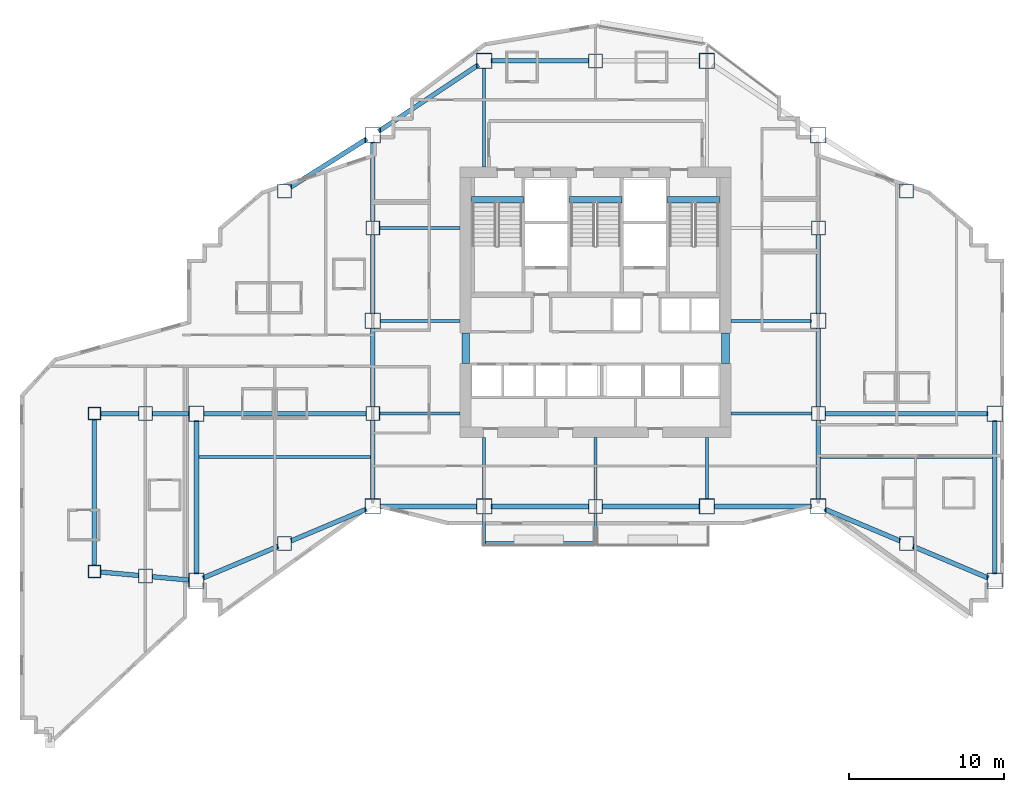
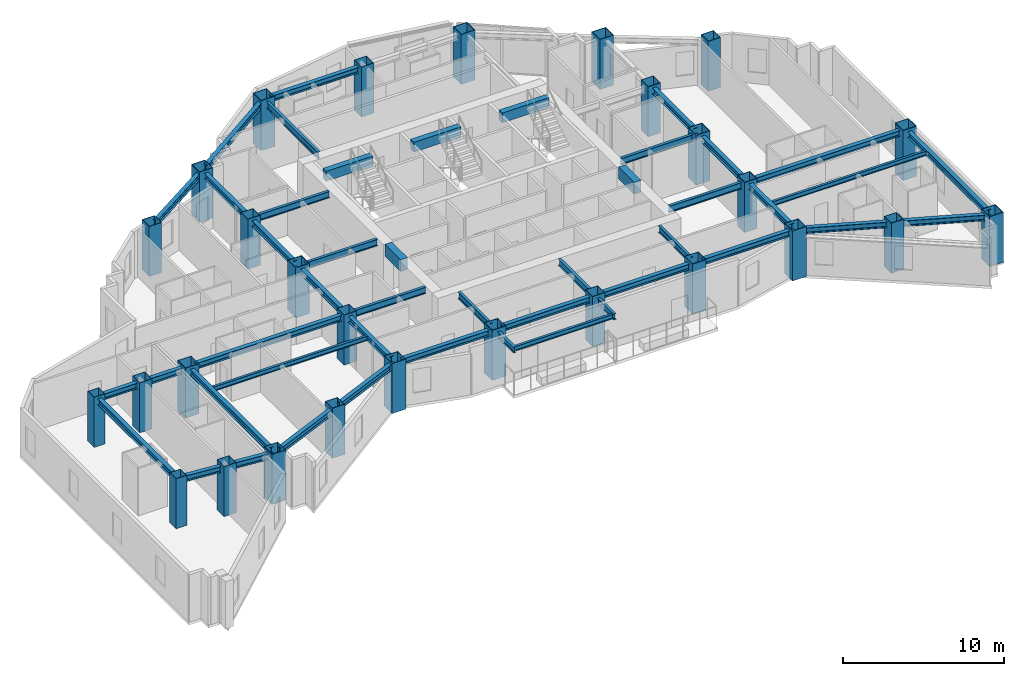
# One storey, part 1 of 14: 46 beams, 28 columns.
"""IFC4 building model written with IfcOpenShell, lengths in metres."""

from ifc_helpers import new_model, si_unit, direction, frame, origin, origin_2d, place, context, subcontext, project, spatial, rectangle, hollow_rectangle, i_section, extrude, material, material_profile, profile_set, type_object, element, save


model = new_model("IFC4")

# Units and contexts
model_context = context("Model", 3, precision=1e-05, world=origin(), true_north=direction((0.0, 1.0)))
body_context = subcontext(model_context, "Body", "Model", "MODEL_VIEW")
ifc_project = project(units=[si_unit("LENGTHUNIT", "METRE"), si_unit("AREAUNIT", "SQUARE_METRE"), si_unit("VOLUMEUNIT", "CUBIC_METRE"), si_unit("PLANEANGLEUNIT", "RADIAN"), si_unit("MASSUNIT", "GRAM", prefix="KILO")], contexts=[model_context])

# Site, building, storey
site_placement = place(None, origin())
site = spatial("IfcSite", under=ifc_project, at=site_placement, CompositionType="ELEMENT")
building_placement = place(site_placement, origin())
building = spatial("IfcBuilding", under=site, at=building_placement, Name="Haolan Belvedere Tower", CompositionType="ELEMENT")
storey_placement = place(building_placement, frame((0.0, 0.0, 144.800048828125)))
storey = spatial("IfcBuildingStorey", under=building, at=storey_placement, Name="L36", CompositionType="ELEMENT", Elevation=144.800048828125)

# Columns
ifc_material_1 = material(Name="Steel Q420GJC", Category="steel")
ifc_material_profile_1 = material_profile(ifc_material_1, hollow_rectangle(XDim=1.0, YDim=1.0, WallThickness=0.0380859375, at=origin_2d()), Name="Steel Q420GJC")
ifc_profile_set_1 = profile_set([ifc_material_profile_1], Name="Steel Q420GJC")
column_type_1 = type_object("IfcColumnType", Name="COL-BOX1000x1000x38", PredefinedType="COLUMN", material=ifc_profile_set_1)
for number, where, z_axis, x_axis, name in (
    (1, (24.0, 21.60009765625, 0.0), (0.0, 0.0, 1.0), (1.0, 0.0, 0.0), "L36 column MC-T3-SW (BOX1000x1000x38)"),
    (2, (24.0, 33.60009765625, 0.0), (0.0, 0.0, 1.0), (1.0, 0.0, 0.0), "L36 column MC-T3-MW (BOX1000x1000x38)"),
    (3, (24.0, 45.60009765625, 0.0), (0.0, 0.0, 1.0), (1.0, 0.0, 0.0), "L36 column MC-T3-NW (BOX1000x1000x38)"),
    (4, (52.800048828125, 21.60009765625, 0.0), (0.0, 0.0, 1.0), (1.0, 0.0, 0.0), "L36 column MC-T3-SE (BOX1000x1000x38)"),
    (5, (52.800048828125, 33.60009765625, 0.0), (0.0, 0.0, 1.0), (1.0, 0.0, 0.0), "L36 column MC-T3-ME (BOX1000x1000x38)"),
    (6, (52.800048828125, 45.60009765625, 0.0), (0.0, 0.0, 1.0), (1.0, 0.0, 0.0), "L36 column MC-T3-NE (BOX1000x1000x38)"),
    (7, (31.199951171875, 21.60009765625, 0.0), (0.0, 0.0, 1.0), (1.0, 0.0, 0.0), "L36 column MC-T3-S1 (BOX1000x1000x38)"),
    (8, (45.60009765625, 21.60009765625, 0.0), (0.0, 0.0, 1.0), (1.0, 0.0, 0.0), "L36 column MC-T3-S2 (BOX1000x1000x38)"),
    (9, (31.199951171875, 50.39990234375, 0.0), (0.0, 0.0, 1.0), (1.0, 0.0, 0.0), "L36 column MC-T3-N1 (BOX1000x1000x38)"),
    (10, (45.60009765625, 50.39990234375, 0.0), (0.0, 0.0, 1.0), (1.0, 0.0, 0.0), "L36 column MC-T3-N2 (BOX1000x1000x38)"),
    (11, (12.60009765625, 16.800048828125, 0.0), (0.0, 0.0, 1.0), (1.0, 0.0, 0.0), "L36 column MC-T2-SW (BOX1000x1000x38)"),
    (12, (12.60009765625, 27.60009765625, 0.0), (0.0, 0.0, 1.0), (1.0, 0.0, 0.0), "L36 column MC-T2-MW (BOX1000x1000x38)"),
    (13, (64.199951171875, 16.800048828125, 0.0), (0.0, 0.0, 1.0), (1.0, 0.0, 0.0), "L36 column MC-T4-SE (BOX1000x1000x38)"),
    (14, (64.199951171875, 27.60009765625, 0.0), (0.0, 0.0, 1.0), (1.0, 0.0, 0.0), "L36 column MC-T4-ME (BOX1000x1000x38)"),
):
    element("IfcColumn", number, at=place(storey_placement, frame(where, z_axis=z_axis, x_axis=x_axis)), inside=storey, type_object=column_type_1, Name=name, PredefinedType="COLUMN", context=body_context, shape_type="SweptSolid", body=[
        extrude(hollow_rectangle(XDim=1.0, YDim=1.0, WallThickness=0.0380859375, at=origin_2d()), origin(), (0.0, 0.0, 1.0), 3.800048828125),
    ])
ifc_material_2 = material(Name="Steel Q390GJC", Category="steel")
ifc_material_profile_2 = material_profile(ifc_material_2, hollow_rectangle(XDim=0.800048828125, YDim=0.800048828125, WallThickness=0.030029296875, at=origin_2d()), Name="Steel Q390GJC")
ifc_profile_set_2 = profile_set([ifc_material_profile_2], Name="Steel Q390GJC")
column_type_2 = type_object("IfcColumnType", Name="COL-BOX800x800x30", PredefinedType="COLUMN", material=ifc_profile_set_2)
for number, where, z_axis, x_axis, name in (
    (15, (6.0, 17.39990234375, 0.0), (0.0, 0.0, 1.0), (1.0, 0.0, 0.0), "L36 column MC-T1-SW (BOX800x800x30)"),
    (16, (6.0, 27.60009765625, 0.0), (0.0, 0.0, 1.0), (1.0, 0.0, 0.0), "L36 column MC-T1-NW (BOX800x800x30)"),
):
    element("IfcColumn", number, at=place(storey_placement, frame(where, z_axis=z_axis, x_axis=x_axis)), inside=storey, type_object=column_type_2, Name=name, PredefinedType="COLUMN", context=body_context, shape_type="SweptSolid", body=[
        extrude(hollow_rectangle(XDim=0.800048828125, YDim=0.800048828125, WallThickness=0.030029296875, at=origin_2d()), origin(), (0.0, 0.0, 1.0), 3.800048828125),
    ])
ifc_material_profile_3 = material_profile(ifc_material_2, hollow_rectangle(XDim=0.89990234375, YDim=0.89990234375, WallThickness=0.033935546875, at=origin_2d()), Name="Steel Q390GJC")
ifc_profile_set_3 = profile_set([ifc_material_profile_3], Name="Steel Q390GJC")
column_type_3 = type_object("IfcColumnType", Name="COL-BOX900x900x34", PredefinedType="COLUMN", material=ifc_profile_set_3)
for number, where, z_axis, x_axis, name in (
    (17, (24.0, 27.60009765625, 0.0), (0.0, 0.0, 1.0), (1.0, 0.0, 0.0), "L36 column TC-T3-W1 (BOX900x900x34)"),
    (18, (24.0, 39.60009765625, 0.0), (0.0, 0.0, 1.0), (1.0, 0.0, 0.0), "L36 column TC-T3-W2 (BOX900x900x34)"),
    (19, (52.800048828125, 27.60009765625, 0.0), (0.0, 0.0, 1.0), (1.0, 0.0, 0.0), "L36 column TC-T3-E1 (BOX900x900x34)"),
    (20, (52.800048828125, 39.60009765625, 0.0), (0.0, 0.0, 1.0), (1.0, 0.0, 0.0), "L36 column TC-T3-E2 (BOX900x900x34)"),
    (21, (38.39990234375, 21.60009765625, 0.0), (0.0, 0.0, 1.0), (1.0, 0.0, 0.0), "L36 column TC-T3-SM (BOX900x900x34)"),
    (22, (38.39990234375, 50.39990234375, 0.0), (0.0, 0.0, 1.0), (1.0, 0.0, 0.0), "L36 column TC-T3-NM (BOX900x900x34)"),
    (23, (18.300048828125, 19.199951171875, 0.0), (0.0, 0.0, 1.0), (1.0, 0.0, 0.0), "L36 column TC-T2-S1 (BOX900x900x34)"),
    (24, (18.300048828125, 42.0, 0.0), (0.0, 0.0, 1.0), (1.0, 0.0, 0.0), "L36 column TC-T2-N1 (BOX900x900x34)"),
    (25, (58.5, 19.199951171875, 0.0), (0.0, 0.0, 1.0), (1.0, 0.0, 0.0), "L36 column TC-T4-S1 (BOX900x900x34)"),
    (26, (58.5, 42.0, 0.0), (0.0, 0.0, 1.0), (1.0, 0.0, 0.0), "L36 column TC-T4-N1 (BOX900x900x34)"),
    (27, (9.300048828125, 17.10009765625, 0.0), (0.0, 0.0, 1.0), (1.0, 0.0, 0.0), "L36 column TC-T1-M1 (BOX900x900x34)"),
    (28, (9.300048828125, 27.60009765625, 0.0), (0.0, 0.0, 1.0), (1.0, 0.0, 0.0), "L36 column TC-T1-M2 (BOX900x900x34)"),
):
    element("IfcColumn", number, at=place(storey_placement, frame(where, z_axis=z_axis, x_axis=x_axis)), inside=storey, type_object=column_type_3, Name=name, PredefinedType="COLUMN", context=body_context, shape_type="SweptSolid", body=[
        extrude(hollow_rectangle(XDim=0.89990234375, YDim=0.89990234375, WallThickness=0.033935546875, at=origin_2d()), origin(), (0.0, 0.0, 1.0), 3.800048828125),
    ])

# Beams
ifc_material_3 = material(Name="Steel Q355B", Category="steel")
ifc_material_profile_4 = material_profile(ifc_material_3, i_section(OverallWidth=0.300048828125, OverallDepth=0.43994140625, WebThickness=0.010986328125, FlangeThickness=0.01806640625, FilletRadius=0.02392578125, at=origin_2d()), Name="Steel Q355B")
ifc_profile_set_4 = profile_set([ifc_material_profile_4], Name="Steel Q355B")
beam_type_1 = type_object("IfcBeamType", Name="BM-HM440x300x11x18", PredefinedType="SPANDREL", material=ifc_profile_set_4)
for number, where, z_axis, x_axis, name in (
    (29, (24.0, 22.050048828125, 3.3798828125), (0.0, 1.0, 0.0), (-1.0, 0.0, 0.0), "L36 spandrel girder MC-T3-SW-TC-T3-W1"),
    (30, (24.0, 28.050048828125, 3.3798828125), (0.0, 1.0, 0.0), (-1.0, 0.0, 0.0), "L36 spandrel girder TC-T3-W1-MC-T3-MW"),
    (31, (24.0, 34.050048828125, 3.3798828125), (0.0, 1.0, 0.0), (-1.0, 0.0, 0.0), "L36 spandrel girder MC-T3-MW-TC-T3-W2"),
    (32, (24.0, 40.050048828125, 3.3798828125), (0.0, 1.0, 0.0), (-1.0, 0.0, 0.0), "L36 spandrel girder TC-T3-W2-MC-T3-NW"),
    (33, (52.800048828125, 22.050048828125, 3.3798828125), (0.0, 1.0, 0.0), (-1.0, 0.0, 0.0), "L36 spandrel girder MC-T3-SE-TC-T3-E1"),
    (34, (52.800048828125, 28.050048828125, 3.3798828125), (0.0, 1.0, 0.0), (-1.0, 0.0, 0.0), "L36 spandrel girder TC-T3-E1-MC-T3-ME"),
    (35, (52.800048828125, 34.050048828125, 3.3798828125), (0.0, 1.0, 0.0), (-1.0, 0.0, 0.0), "L36 spandrel girder MC-T3-ME-TC-T3-E2"),
):
    element("IfcBeam", number, at=place(storey_placement, frame(where, z_axis=z_axis, x_axis=x_axis)), inside=storey, type_object=beam_type_1, Name=name, PredefinedType="SPANDREL", context=body_context, shape_type="SweptSolid", body=[
        extrude(i_section(OverallWidth=0.300048828125, OverallDepth=0.43994140625, WebThickness=0.010986328125, FlangeThickness=0.01806640625, FilletRadius=0.02392578125, at=origin_2d()), origin(), (0.0, 0.0, 1.0), 5.099853515625),
    ])
for number, where, z_axis, x_axis, name in (
    (36, (24.449951171875, 21.60009765625, 3.3798828125), (1.0, 0.0, 0.0), (0.0, 1.0, 0.0), "L36 spandrel girder MC-T3-SW-MC-T3-S1"),
    (37, (31.64990234375, 21.60009765625, 3.3798828125), (1.0, 0.0, 0.0), (0.0, 1.0, 0.0), "L36 spandrel girder MC-T3-S1-TC-T3-SM"),
):
    element("IfcBeam", number, at=place(storey_placement, frame(where, z_axis=z_axis, x_axis=x_axis)), inside=storey, type_object=beam_type_1, Name=name, PredefinedType="SPANDREL", context=body_context, shape_type="SweptSolid", body=[
        extrude(i_section(OverallWidth=0.300048828125, OverallDepth=0.43994140625, WebThickness=0.010986328125, FlangeThickness=0.01806640625, FilletRadius=0.02392578125, at=origin_2d()), origin(), (0.0, 0.0, 1.0), 6.300048828125),
    ])
beam_1_placement = place(storey_placement, frame((38.85009765625, 21.60009765625, 3.3798828125), z_axis=(1.0, 0.0, 0.0), x_axis=(0.0, 1.0, 0.0)))
element("IfcBeam", 38, at=beam_1_placement, inside=storey, type_object=beam_type_1, Name="L36 spandrel girder TC-T3-SM-MC-T3-S2", PredefinedType="SPANDREL", context=body_context, shape_type="SweptSolid", body=[
    extrude(i_section(OverallWidth=0.300048828125, OverallDepth=0.43994140625, WebThickness=0.010986328125, FlangeThickness=0.01806640625, FilletRadius=0.02392578125, at=origin_2d()), origin(), (0.0, 0.0, 1.0), 6.2998046875),
])
beam_2_placement = place(storey_placement, frame((46.050048828125, 21.60009765625, 3.3798828125), z_axis=(1.0, 0.0, 0.0), x_axis=(0.0, 1.0, 0.0)))
element("IfcBeam", 39, at=beam_2_placement, inside=storey, type_object=beam_type_1, Name="L36 spandrel girder MC-T3-S2-MC-T3-SE", PredefinedType="SPANDREL", context=body_context, shape_type="SweptSolid", body=[
    extrude(i_section(OverallWidth=0.300048828125, OverallDepth=0.43994140625, WebThickness=0.010986328125, FlangeThickness=0.01806640625, FilletRadius=0.02392578125, at=origin_2d()), origin(), (0.0, 0.0, 1.0), 6.300048828125),
])
beam_3_placement = place(storey_placement, frame((24.37451171875, 45.849609375, 3.3798828125), z_axis=(0.832050294338, 0.554700196225, 0.0), x_axis=(-0.554700196225, 0.832050294338, 0.0)))
element("IfcBeam", 40, at=beam_3_placement, inside=storey, type_object=beam_type_1, Name="L36 spandrel girder MC-T3-NW-MC-T3-N1", PredefinedType="SPANDREL", context=body_context, shape_type="SweptSolid", body=[
    extrude(i_section(OverallWidth=0.300048828125, OverallDepth=0.43994140625, WebThickness=0.010986328125, FlangeThickness=0.01806640625, FilletRadius=0.02392578125, at=origin_2d()), origin(), (0.0, 0.0, 1.0), 7.75341796875),
])
beam_4_placement = place(storey_placement, frame((31.64990234375, 50.39990234375, 3.3798828125), z_axis=(1.0, 0.0, 0.0), x_axis=(0.0, 1.0, 0.0)))
element("IfcBeam", 41, at=beam_4_placement, inside=storey, type_object=beam_type_1, Name="L36 spandrel girder MC-T3-N1-TC-T3-NM", PredefinedType="SPANDREL", context=body_context, shape_type="SweptSolid", body=[
    extrude(i_section(OverallWidth=0.300048828125, OverallDepth=0.43994140625, WebThickness=0.010986328125, FlangeThickness=0.01806640625, FilletRadius=0.02392578125, at=origin_2d()), origin(), (0.0, 0.0, 1.0), 6.300048828125),
])
beam_5_placement = place(storey_placement, frame((12.60009765625, 17.25, 3.3798828125), z_axis=(0.0, 1.0, 0.0), x_axis=(-1.0, 0.0, 0.0)))
element("IfcBeam", 42, at=beam_5_placement, inside=storey, type_object=beam_type_1, Name="L36 spandrel girder MC-T2-SW-MC-T2-MW", PredefinedType="SPANDREL", context=body_context, shape_type="SweptSolid", body=[
    extrude(i_section(OverallWidth=0.300048828125, OverallDepth=0.43994140625, WebThickness=0.010986328125, FlangeThickness=0.01806640625, FilletRadius=0.02392578125, at=origin_2d()), origin(), (0.0, 0.0, 1.0), 9.89990234375),
])
beam_6_placement = place(storey_placement, frame((13.0146484375, 16.974609375, 3.3798828125), z_axis=(0.921635375138, 0.388057000058, 0.0), x_axis=(-0.388057000058, 0.921635375138, 0.0)))
element("IfcBeam", 43, at=beam_6_placement, inside=storey, type_object=beam_type_1, Name="L36 spandrel girder MC-T2-SW-TC-T2-S1", PredefinedType="SPANDREL", context=body_context, shape_type="SweptSolid", body=[
    extrude(i_section(OverallWidth=0.300048828125, OverallDepth=0.43994140625, WebThickness=0.010986328125, FlangeThickness=0.01806640625, FilletRadius=0.02392578125, at=origin_2d()), origin(), (0.0, 0.0, 1.0), 5.28466796875),
])
beam_7_placement = place(storey_placement, frame((18.71484375, 19.37451171875, 3.3798828125), z_axis=(0.92162841793, 0.388073523014, 0.0), x_axis=(-0.388073523014, 0.92162841793, 0.0)))
element("IfcBeam", 44, at=beam_7_placement, inside=storey, type_object=beam_type_1, Name="L36 spandrel girder TC-T2-S1-MC-T3-SW", PredefinedType="SPANDREL", context=body_context, shape_type="SweptSolid", body=[
    extrude(i_section(OverallWidth=0.300048828125, OverallDepth=0.43994140625, WebThickness=0.010986328125, FlangeThickness=0.01806640625, FilletRadius=0.02392578125, at=origin_2d()), origin(), (0.0, 0.0, 1.0), 5.284423828125),
])
beam_8_placement = place(storey_placement, frame((18.680419921875, 42.240234375, 3.3798828125), z_axis=(0.845497840649, 0.533978839898, 0.0), x_axis=(-0.533978839898, 0.845497840649, 0.0)))
element("IfcBeam", 45, at=beam_8_placement, inside=storey, type_object=beam_type_1, Name="L36 spandrel girder TC-T2-N1-MC-T3-NW", PredefinedType="SPANDREL", context=body_context, shape_type="SweptSolid", body=[
    extrude(i_section(OverallWidth=0.300048828125, OverallDepth=0.43994140625, WebThickness=0.010986328125, FlangeThickness=0.01806640625, FilletRadius=0.02392578125, at=origin_2d()), origin(), (0.0, 0.0, 1.0), 5.841796875),
])
beam_9_placement = place(storey_placement, frame((13.050048828125, 27.60009765625, 3.3798828125), z_axis=(1.0, 0.0, 0.0), x_axis=(0.0, 1.0, 0.0)))
element("IfcBeam", 46, at=beam_9_placement, inside=storey, type_object=beam_type_1, Name="L36 spandrel girder MC-T2-MW-TC-T3-W1", PredefinedType="SPANDREL", context=body_context, shape_type="SweptSolid", body=[
    extrude(i_section(OverallWidth=0.300048828125, OverallDepth=0.43994140625, WebThickness=0.010986328125, FlangeThickness=0.01806640625, FilletRadius=0.02392578125, at=origin_2d()), origin(), (0.0, 0.0, 1.0), 10.5),
])
beam_10_placement = place(storey_placement, frame((64.199951171875, 17.25, 3.3798828125), z_axis=(0.0, 1.0, 0.0), x_axis=(-1.0, 0.0, 0.0)))
element("IfcBeam", 47, at=beam_10_placement, inside=storey, type_object=beam_type_1, Name="L36 spandrel girder MC-T4-SE-MC-T4-ME", PredefinedType="SPANDREL", context=body_context, shape_type="SweptSolid", body=[
    extrude(i_section(OverallWidth=0.300048828125, OverallDepth=0.43994140625, WebThickness=0.010986328125, FlangeThickness=0.01806640625, FilletRadius=0.02392578125, at=origin_2d()), origin(), (0.0, 0.0, 1.0), 9.89990234375),
])
for number, where, z_axis, x_axis, name in (
    (48, (53.21484375, 21.42529296875, 3.3798828125), (0.92162841793, -0.388073523014, 0.0), (0.388073523014, 0.92162841793, 0.0), "L36 spandrel girder MC-T3-SE-TC-T4-S1"),
    (49, (58.914794921875, 19.025390625, 3.3798828125), (0.92162841793, -0.388073523014, 0.0), (0.388073523014, 0.92162841793, 0.0), "L36 spandrel girder TC-T4-S1-MC-T4-SE"),
):
    element("IfcBeam", number, at=place(storey_placement, frame(where, z_axis=z_axis, x_axis=x_axis)), inside=storey, type_object=beam_type_1, Name=name, PredefinedType="SPANDREL", context=body_context, shape_type="SweptSolid", body=[
        extrude(i_section(OverallWidth=0.300048828125, OverallDepth=0.43994140625, WebThickness=0.010986328125, FlangeThickness=0.01806640625, FilletRadius=0.02392578125, at=origin_2d()), origin(), (0.0, 0.0, 1.0), 5.284423828125),
    ])
beam_11_placement = place(storey_placement, frame((53.25, 27.60009765625, 3.3798828125), z_axis=(1.0, 0.0, 0.0), x_axis=(0.0, 1.0, 0.0)))
element("IfcBeam", 50, at=beam_11_placement, inside=storey, type_object=beam_type_1, Name="L36 spandrel girder TC-T3-E1-MC-T4-ME", PredefinedType="SPANDREL", context=body_context, shape_type="SweptSolid", body=[
    extrude(i_section(OverallWidth=0.300048828125, OverallDepth=0.43994140625, WebThickness=0.010986328125, FlangeThickness=0.01806640625, FilletRadius=0.02392578125, at=origin_2d()), origin(), (0.0, 0.0, 1.0), 10.5),
])
beam_12_placement = place(storey_placement, frame((6.0, 17.800048828125, 3.3798828125), z_axis=(0.0, 1.0, 0.0), x_axis=(-1.0, 0.0, 0.0)))
element("IfcBeam", 51, at=beam_12_placement, inside=storey, type_object=beam_type_1, Name="L36 spandrel girder MC-T1-SW-MC-T1-NW", PredefinedType="SPANDREL", context=body_context, shape_type="SweptSolid", body=[
    extrude(i_section(OverallWidth=0.300048828125, OverallDepth=0.43994140625, WebThickness=0.010986328125, FlangeThickness=0.01806640625, FilletRadius=0.02392578125, at=origin_2d()), origin(), (0.0, 0.0, 1.0), 9.39990234375),
])
beam_13_placement = place(storey_placement, frame((6.3984375, 17.36376953125, 3.3798828125), z_axis=(0.995889143855, -0.090580423672, 0.0), x_axis=(0.090580423672, 0.995889143855, 0.0)))
element("IfcBeam", 52, at=beam_13_placement, inside=storey, type_object=beam_type_1, Name="L36 spandrel girder MC-T1-SW-TC-T1-M1", PredefinedType="SPANDREL", context=body_context, shape_type="SweptSolid", body=[
    extrude(i_section(OverallWidth=0.300048828125, OverallDepth=0.43994140625, WebThickness=0.010986328125, FlangeThickness=0.01806640625, FilletRadius=0.02392578125, at=origin_2d()), origin(), (0.0, 0.0, 1.0), 2.46337890625),
])
beam_14_placement = place(storey_placement, frame((9.748046875, 17.059326171875, 3.3798828125), z_axis=(0.9958940355, -0.090526626221, 0.0), x_axis=(0.090526626221, 0.9958940355, 0.0)))
element("IfcBeam", 53, at=beam_14_placement, inside=storey, type_object=beam_type_1, Name="L36 spandrel girder TC-T1-M1-MC-T2-SW", PredefinedType="SPANDREL", context=body_context, shape_type="SweptSolid", body=[
    extrude(i_section(OverallWidth=0.300048828125, OverallDepth=0.43994140625, WebThickness=0.010986328125, FlangeThickness=0.01806640625, FilletRadius=0.02392578125, at=origin_2d()), origin(), (0.0, 0.0, 1.0), 2.413818359375),
])
beam_15_placement = place(storey_placement, frame((6.39990234375, 27.60009765625, 3.3798828125), z_axis=(1.0, 0.0, 0.0), x_axis=(0.0, 1.0, 0.0)))
element("IfcBeam", 54, at=beam_15_placement, inside=storey, type_object=beam_type_1, Name="L36 spandrel girder MC-T1-NW-TC-T1-M2", PredefinedType="SPANDREL", context=body_context, shape_type="SweptSolid", body=[
    extrude(i_section(OverallWidth=0.300048828125, OverallDepth=0.43994140625, WebThickness=0.010986328125, FlangeThickness=0.01806640625, FilletRadius=0.02392578125, at=origin_2d()), origin(), (0.0, 0.0, 1.0), 2.4501953125),
])
beam_16_placement = place(storey_placement, frame((9.75, 27.60009765625, 3.3798828125), z_axis=(1.0, 0.0, 0.0), x_axis=(0.0, 1.0, 0.0)))
element("IfcBeam", 55, at=beam_16_placement, inside=storey, type_object=beam_type_1, Name="L36 spandrel girder TC-T1-M2-MC-T2-MW", PredefinedType="SPANDREL", context=body_context, shape_type="SweptSolid", body=[
    extrude(i_section(OverallWidth=0.300048828125, OverallDepth=0.43994140625, WebThickness=0.010986328125, FlangeThickness=0.01806640625, FilletRadius=0.02392578125, at=origin_2d()), origin(), (0.0, 0.0, 1.0), 2.39990234375),
])
ifc_material_profile_5 = material_profile(ifc_material_3, i_section(OverallWidth=0.175048828125, OverallDepth=0.35009765625, WebThickness=0.007080078125, FlangeThickness=0.010986328125, FilletRadius=0.012939453125, at=origin_2d()), Name="Steel Q355B")
ifc_profile_set_5 = profile_set([ifc_material_profile_5], Name="Steel Q355B")
beam_type_2 = type_object("IfcBeamType", Name="BM-HN350x175x7x11", PredefinedType="JOIST", material=ifc_profile_set_5)
for number, where, z_axis, x_axis, name in (
    (56, (12.75, 24.800048828125, 3.425048828125), (1.0, 0.0, 0.0), (0.0, 1.0, 0.0), "L36 west wing floor joist 1"),
    (57, (52.949951171875, 24.800048828125, 3.425048828125), (1.0, 0.0, 0.0), (0.0, 1.0, 0.0), "L36 east wing floor joist 1"),
):
    element("IfcBeam", number, at=place(storey_placement, frame(where, z_axis=z_axis, x_axis=x_axis)), inside=storey, type_object=beam_type_2, Name=name, PredefinedType="JOIST", context=body_context, shape_type="SweptSolid", body=[
        extrude(i_section(OverallWidth=0.175048828125, OverallDepth=0.35009765625, WebThickness=0.007080078125, FlangeThickness=0.010986328125, FilletRadius=0.012939453125, at=origin_2d()), origin(), (0.0, 0.0, 1.0), 11.10009765625),
    ])
beam_17_placement = place(storey_placement, frame((31.300048828125, 19.239990234375, 3.39501953125), z_axis=(1.0, 0.0, 0.0), x_axis=(0.0, 1.0, 0.0)))
element("IfcBeam", 58, at=beam_17_placement, inside=storey, type_object=beam_type_2, Name="L37 tree-balcony front trimmer beam 1", PredefinedType="BEAM", context=body_context, shape_type="SweptSolid", body=[
    extrude(i_section(OverallWidth=0.175048828125, OverallDepth=0.35009765625, WebThickness=0.007080078125, FlangeThickness=0.010986328125, FilletRadius=0.012939453125, at=origin_2d()), origin(), (0.0, 0.0, 1.0), 7.0),
])
ifc_material_profile_6 = material_profile(ifc_material_3, i_section(OverallWidth=0.199951171875, OverallDepth=0.449951171875, WebThickness=0.009033203125, FlangeThickness=0.013916015625, FilletRadius=0.01611328125, at=origin_2d()), Name="Steel Q355B")
ifc_profile_set_6 = profile_set([ifc_material_profile_6], Name="Steel Q355B")
beam_type_3 = type_object("IfcBeamType", Name="BM-HN450x200x9x14", PredefinedType="BEAM", material=ifc_profile_set_6)
beam_18_placement = place(storey_placement, frame((31.199951171875, 21.10009765625, 3.344970703125), z_axis=(0.0, -1.0, 0.0), x_axis=(1.0, 0.0, 0.0)))
element("IfcBeam", 59, at=beam_18_placement, inside=storey, type_object=beam_type_3, Name="L37 tree-balcony column cantilever MC-T3-S1", PredefinedType="BEAM", context=body_context, shape_type="SweptSolid", body=[
    extrude(i_section(OverallWidth=0.199951171875, OverallDepth=0.449951171875, WebThickness=0.009033203125, FlangeThickness=0.013916015625, FilletRadius=0.01611328125, at=origin_2d()), origin(), (0.0, 0.0, 1.0), 1.960205078125),
])
beam_19_placement = place(storey_placement, frame((38.39990234375, 21.14990234375, 3.344970703125), z_axis=(0.0, -1.0, 0.0), x_axis=(1.0, 0.0, 0.0)))
element("IfcBeam", 60, at=beam_19_placement, inside=storey, type_object=beam_type_3, Name="L37 tree-balcony column cantilever TC-T3-SM", PredefinedType="BEAM", context=body_context, shape_type="SweptSolid", body=[
    extrude(i_section(OverallWidth=0.199951171875, OverallDepth=0.449951171875, WebThickness=0.009033203125, FlangeThickness=0.013916015625, FilletRadius=0.01611328125, at=origin_2d()), origin(), (0.0, 0.0, 1.0), 2.010009765625),
])
ifc_material_profile_7 = material_profile(ifc_material_3, i_section(OverallWidth=0.199951171875, OverallDepth=0.5, WebThickness=0.010009765625, FlangeThickness=0.01611328125, FilletRadius=0.02001953125, at=origin_2d()), Name="Steel Q355B")
ifc_profile_set_7 = profile_set([ifc_material_profile_7], Name="Steel Q355B")
beam_type_4 = type_object("IfcBeamType", Name="BM-HN500x200x10x16", PredefinedType="BEAM", material=ifc_profile_set_7)
for number, where, z_axis, x_axis, name in (
    (61, (24.449951171875, 33.60009765625, 3.349853515625), (1.0, 0.0, 0.0), (0.0, 1.0, 0.0), "L36 core tie beam from MC-T3-MW"),
    (62, (24.449951171875, 27.60009765625, 3.349853515625), (1.0, 0.0, 0.0), (0.0, 1.0, 0.0), "L36 core tie beam from TC-T3-W1"),
    (63, (24.449951171875, 39.60009765625, 3.349853515625), (1.0, 0.0, 0.0), (0.0, 1.0, 0.0), "L36 core tie beam from TC-T3-W2"),
):
    element("IfcBeam", number, at=place(storey_placement, frame(where, z_axis=z_axis, x_axis=x_axis)), inside=storey, type_object=beam_type_4, Name=name, PredefinedType="BEAM", context=body_context, shape_type="SweptSolid", body=[
        extrude(i_section(OverallWidth=0.199951171875, OverallDepth=0.5, WebThickness=0.010009765625, FlangeThickness=0.01611328125, FilletRadius=0.02001953125, at=origin_2d()), origin(), (0.0, 0.0, 1.0), 5.199951171875),
    ])
for number, where, z_axis, x_axis, name in (
    (64, (52.35009765625, 33.60009765625, 3.349853515625), (-1.0, 0.0, 0.0), (0.0, -1.0, 0.0), "L36 core tie beam from MC-T3-ME"),
    (65, (52.35009765625, 27.60009765625, 3.349853515625), (-1.0, 0.0, 0.0), (0.0, -1.0, 0.0), "L36 core tie beam from TC-T3-E1"),
):
    element("IfcBeam", number, at=place(storey_placement, frame(where, z_axis=z_axis, x_axis=x_axis)), inside=storey, type_object=beam_type_4, Name=name, PredefinedType="BEAM", context=body_context, shape_type="SweptSolid", body=[
        extrude(i_section(OverallWidth=0.199951171875, OverallDepth=0.5, WebThickness=0.010009765625, FlangeThickness=0.01611328125, FilletRadius=0.02001953125, at=origin_2d()), origin(), (0.0, 0.0, 1.0), 5.2001953125),
    ])
for number, where, z_axis, x_axis, name in (
    (66, (31.199951171875, 22.050048828125, 3.349853515625), (0.0, 1.0, 0.0), (-1.0, 0.0, 0.0), "L36 core tie beam from MC-T3-S1"),
    (67, (38.39990234375, 22.050048828125, 3.349853515625), (0.0, 1.0, 0.0), (-1.0, 0.0, 0.0), "L36 core tie beam from TC-T3-SM"),
    (68, (45.60009765625, 22.050048828125, 3.349853515625), (0.0, 1.0, 0.0), (-1.0, 0.0, 0.0), "L36 core tie beam from MC-T3-S2"),
):
    element("IfcBeam", number, at=place(storey_placement, frame(where, z_axis=z_axis, x_axis=x_axis)), inside=storey, type_object=beam_type_4, Name=name, PredefinedType="BEAM", context=body_context, shape_type="SweptSolid", body=[
        extrude(i_section(OverallWidth=0.199951171875, OverallDepth=0.5, WebThickness=0.010009765625, FlangeThickness=0.01611328125, FilletRadius=0.02001953125, at=origin_2d()), origin(), (0.0, 0.0, 1.0), 4.0),
    ])
beam_20_placement = place(storey_placement, frame((31.199951171875, 49.949951171875, 3.349853515625), z_axis=(0.0, -1.0, 0.0), x_axis=(1.0, 0.0, 0.0)))
element("IfcBeam", 69, at=beam_20_placement, inside=storey, type_object=beam_type_4, Name="L36 core tie beam from MC-T3-N1", PredefinedType="BEAM", context=body_context, shape_type="SweptSolid", body=[
    extrude(i_section(OverallWidth=0.199951171875, OverallDepth=0.5, WebThickness=0.010009765625, FlangeThickness=0.01611328125, FilletRadius=0.02001953125, at=origin_2d()), origin(), (0.0, 0.0, 1.0), 6.39990234375),
])
ifc_material_4 = material(Name="Concrete C50/60", Category="concrete")
ifc_material_profile_8 = material_profile(ifc_material_4, rectangle(XDim=0.39990234375, YDim=0.75, at=origin_2d()), Name="Concrete C50/60")
ifc_profile_set_8 = profile_set([ifc_material_profile_8], Name="Concrete C50/60")
beam_type_5 = type_object("IfcBeamType", Name="BM-RC400x750", PredefinedType="T_BEAM", material=ifc_profile_set_8)
beam_21_placement = place(storey_placement, frame((30.3798828125, 41.429931640625, 3.425048828125), z_axis=(1.0, 0.0, 0.0), x_axis=(0.0, 1.0, 0.0)))
element("IfcBeam", 70, at=beam_21_placement, inside=storey, type_object=beam_type_5, Name="L37 stair ST1 RC header trimmer beam", PredefinedType="BEAM", context=body_context, shape_type="SweptSolid", body=[
    extrude(rectangle(XDim=0.39990234375, YDim=0.75, at=origin_2d()), origin(), (0.0, 0.0, 1.0), 3.360107421875),
])
beam_22_placement = place(storey_placement, frame((36.699951171875, 41.429931640625, 3.425048828125), z_axis=(1.0, 0.0, 0.0), x_axis=(0.0, 1.0, 0.0)))
element("IfcBeam", 71, at=beam_22_placement, inside=storey, type_object=beam_type_5, Name="L37 stair ST3 RC header trimmer beam", PredefinedType="BEAM", context=body_context, shape_type="SweptSolid", body=[
    extrude(rectangle(XDim=0.39990234375, YDim=0.75, at=origin_2d()), origin(), (0.0, 0.0, 1.0), 3.400146484375),
])
beam_23_placement = place(storey_placement, frame((43.06005859375, 41.429931640625, 3.425048828125), z_axis=(1.0, 0.0, 0.0), x_axis=(0.0, 1.0, 0.0)))
element("IfcBeam", 72, at=beam_23_placement, inside=storey, type_object=beam_type_5, Name="L37 stair ST2 RC header trimmer beam", PredefinedType="BEAM", context=body_context, shape_type="SweptSolid", body=[
    extrude(rectangle(XDim=0.39990234375, YDim=0.75, at=origin_2d()), origin(), (0.0, 0.0, 1.0), 3.35986328125),
])
ifc_material_5 = material(Name="Concrete C60/75", Category="concrete")
ifc_material_profile_9 = material_profile(ifc_material_5, rectangle(XDim=0.5, YDim=0.89990234375, at=origin_2d()), Name="Concrete C60/75")
ifc_profile_set_9 = profile_set([ifc_material_profile_9], Name="Concrete C60/75")
beam_type_6 = type_object("IfcBeamType", Name="BM-RC500x900", PredefinedType="LINTEL", material=ifc_profile_set_9)
for number, where, z_axis, x_axis, name in (
    (73, (30.0, 30.85009765625, 3.14990234375), (0.0, 1.0, 0.0), (-1.0, 0.0, 0.0), "L36 west core coupling beam CB-01"),
    (74, (46.800048828125, 30.85009765625, 3.14990234375), (0.0, 1.0, 0.0), (-1.0, 0.0, 0.0), "L36 east core coupling beam CB-01"),
):
    element("IfcBeam", number, at=place(storey_placement, frame(where, z_axis=z_axis, x_axis=x_axis)), inside=storey, type_object=beam_type_6, Name=name, PredefinedType="LINTEL", context=body_context, shape_type="SweptSolid", body=[
        extrude(rectangle(XDim=0.5, YDim=0.89990234375, at=origin_2d()), origin(), (0.0, 0.0, 1.0), 1.949951171875),
    ])

save(model, "model.ifc")
